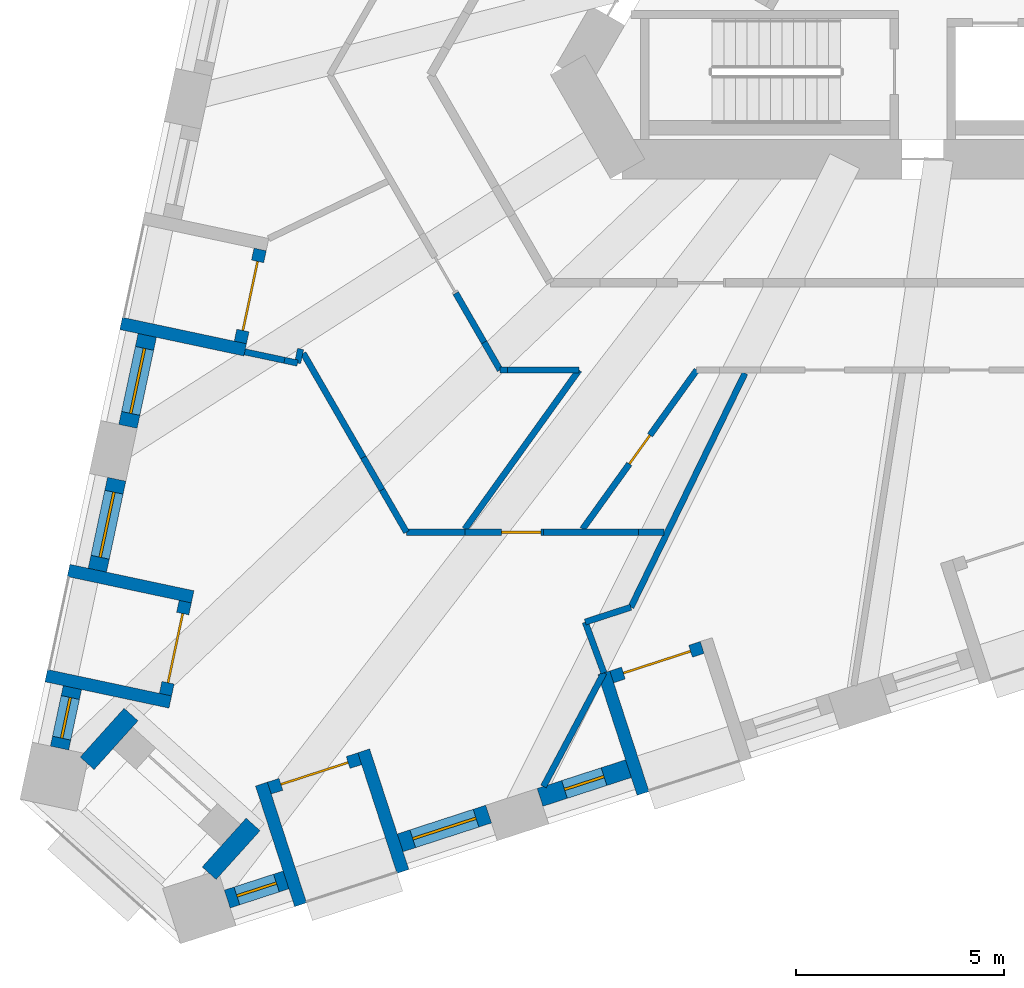
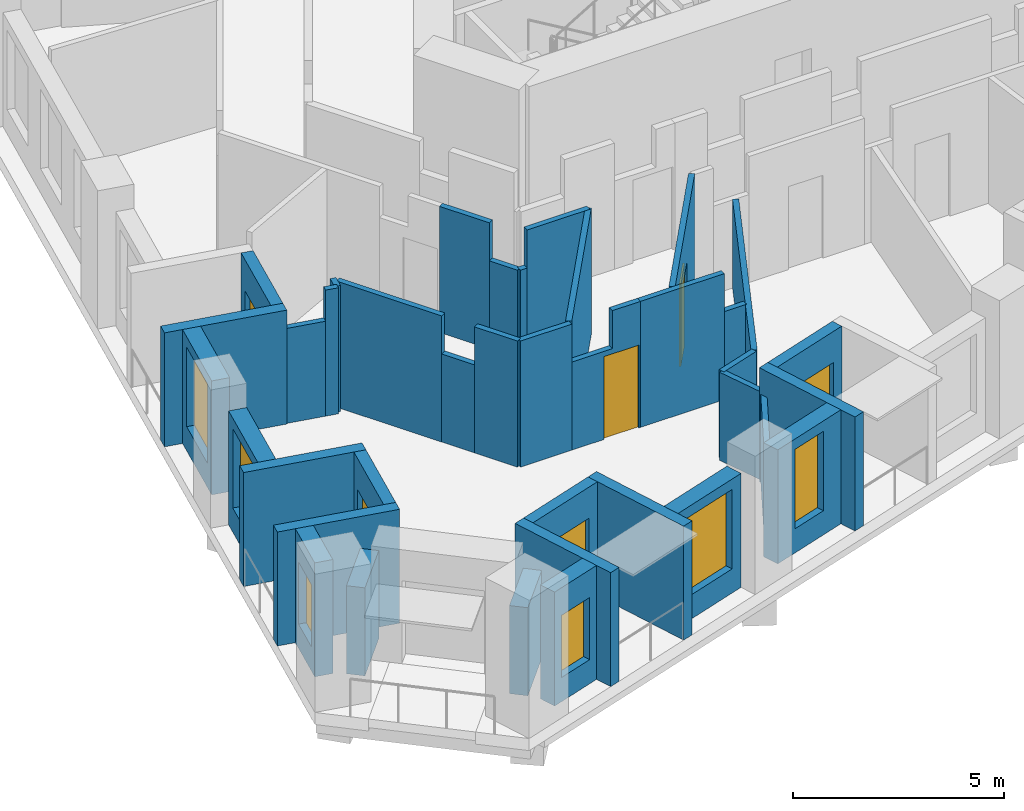
# One storey, part 2 of 13: 38 walls, 6 doors, 6 windows, 12 openings.
"""IFC4 building model written with IfcOpenShell, lengths in metres."""

from ifc_helpers import new_model, si_unit, direction, frame, frame_2d, origin, place, context, subcontext, project, spatial, polyline, rectangle, outline, extrude, material, layer, layer_set, type_object, element, fill, save


model = new_model("IFC4")

# Units and contexts
model_context = context("Model", 3, precision=1e-05, world=origin(), true_north=direction((0.0, 1.0)))
body_context = subcontext(model_context, "Body", "Model", "MODEL_VIEW")
ifc_project = project(units=[si_unit("LENGTHUNIT", "METRE"), si_unit("AREAUNIT", "SQUARE_METRE"), si_unit("VOLUMEUNIT", "CUBIC_METRE"), si_unit("PLANEANGLEUNIT", "RADIAN"), si_unit("MASSUNIT", "GRAM", prefix="KILO")], contexts=[model_context])

# Site, building, storey
site_placement = place(None, origin())
site = spatial("IfcSite", under=ifc_project, at=site_placement, CompositionType="ELEMENT")
building_placement = place(site_placement, origin())
building = spatial("IfcBuilding", under=site, at=building_placement, Name="Tramontana Tower", CompositionType="ELEMENT")
storey_placement = place(building_placement, frame((0.0, 0.0, 112.39990234375)))
storey = spatial("IfcBuildingStorey", under=building, at=storey_placement, Name="L25", CompositionType="ELEMENT", Elevation=112.39990234375)

# Wall, opening, window
ifc_material_1 = material(Name="Precast concrete 60 MPa", Category="concrete")
ifc_layer_1 = layer(ifc_material_1, 0.449951171875)
ifc_layer_set_1 = layer_set([ifc_layer_1], Name="Precast concrete 60 MPa, 450 mm")
wall_type_1 = type_object("IfcWallType", Name="EW1 Stone-faced precast wall 450", PredefinedType="SOLIDWALL", material=ifc_layer_set_1)
wall_1_placement = place(storey_placement, frame((-19.947265625, -10.516357421875, 0.0), z_axis=(0.0, 0.0, 1.0), x_axis=(-0.207941001029, -0.978141370197, 0.0)))
wall_1 = element("IfcWall", 1, at=wall_1_placement, inside=storey, type_object=wall_type_1, Name="External wall L25 face 0 bay 5", PredefinedType="SOLIDWALL", context=body_context, shape_type="SweptSolid", body=[
    extrude(rectangle(XDim=2.236572265625, YDim=0.449951171875, at=frame_2d((1.1181640625, 0.0))), origin(), (0.0, 0.0, 1.0), 3.300048828125),
])
opening_1_placement = place(wall_1_placement, frame((0.318359375, 0.0, 0.699951171875)))
opening_1 = element("IfcOpeningElement", 2, at=opening_1_placement, cuts=wall_1, Name="Opening M1", PredefinedType="OPENING", context=body_context, shape_type="SweptSolid", body=[
    extrude(rectangle(XDim=1.60009765625, YDim=2.300048828125, at=frame_2d((0.800048828125, 1.14990234375))), frame((0.0, 0.23486328125, 0.0), z_axis=(0.0, -1.0, 0.0), x_axis=(1.0, 0.0, 0.0)), (0.0, 0.0, 1.0), 0.469970703125),
])
ifc_material_2 = material(Name="Aluminum frame, double glazing unit", Category="aluminium")
window_type_1 = type_object("IfcWindowType", Name="M1 Window 1.6 x 2.3", PartitioningType="SINGLE_PANEL", PredefinedType="WINDOW", material=ifc_material_2)
window_1_placement = place(opening_1_placement, origin())
window_1 = element("IfcWindow", 3, at=window_1_placement, inside=storey, type_object=window_type_1, Name="Window M1 L25 face 0 module 15", OverallHeight=2.300048828125, OverallWidth=1.60009765625, PartitioningType="SINGLE_PANEL", PredefinedType="WINDOW", context=body_context, shape_type="SweptSolid", body=[
    extrude(rectangle(XDim=1.60009765625, YDim=2.300048828125, at=frame_2d((0.800048828125, 1.14990234375))), frame((0.0, 0.030029296875, 0.0), z_axis=(0.0, -1.0, 0.0), x_axis=(1.0, 0.0, 0.0)), (0.0, 0.0, 1.0), 0.06005859375),
])
fill(opening_1, window_1)

wall_2_placement = place(storey_placement, frame((-20.6826171875, -13.975830078125, 0.0), z_axis=(0.0, 0.0, 1.0), x_axis=(-0.207941001029, -0.978141370197, 0.0)))
wall_2 = element("IfcWall", 4, at=wall_2_placement, inside=storey, type_object=wall_type_1, Name="External wall L25 face 0 bay 6", PredefinedType="SOLIDWALL", context=body_context, shape_type="SweptSolid", body=[
    extrude(rectangle(XDim=2.236572265625, YDim=0.449951171875, at=frame_2d((1.1181640625, 0.0))), origin(), (0.0, 0.0, 1.0), 3.300048828125),
])
opening_2_placement = place(wall_2_placement, frame((0.318359375, 0.0, 0.699951171875)))
opening_2 = element("IfcOpeningElement", 5, at=opening_2_placement, cuts=wall_2, Name="Opening M1", PredefinedType="OPENING", context=body_context, shape_type="SweptSolid", body=[
    extrude(rectangle(XDim=1.60009765625, YDim=2.300048828125, at=frame_2d((0.800048828125, 1.14990234375))), frame((0.0, 0.23486328125, 0.0), z_axis=(0.0, -1.0, 0.0), x_axis=(1.0, 0.0, 0.0)), (0.0, 0.0, 1.0), 0.469970703125),
])
window_2_placement = place(opening_2_placement, origin())
window_2 = element("IfcWindow", 6, at=window_2_placement, inside=storey, type_object=window_type_1, Name="Window M1 L25 face 0 module 16", OverallHeight=2.300048828125, OverallWidth=1.60009765625, PartitioningType="SINGLE_PANEL", PredefinedType="WINDOW", context=body_context, shape_type="SweptSolid", body=[
    extrude(rectangle(XDim=1.60009765625, YDim=2.300048828125, at=frame_2d((0.800048828125, 1.14990234375))), frame((0.0, 0.030029296875, 0.0), z_axis=(0.0, -1.0, 0.0), x_axis=(1.0, 0.0, 0.0)), (0.0, 0.0, 1.0), 0.06005859375),
])
fill(opening_2, window_2)

wall_3_placement = place(storey_placement, frame((-21.747802734375, -18.9873046875, 0.0), z_axis=(0.0, 0.0, 1.0), x_axis=(-0.208037456693, -0.978120859921, 0.0)))
wall_3 = element("IfcWall", 7, at=wall_3_placement, inside=storey, type_object=wall_type_1, Name="External wall L25 face 0 bay 6", PredefinedType="SOLIDWALL", context=body_context, shape_type="SweptSolid", body=[
    extrude(rectangle(XDim=1.48681640625, YDim=0.449951171875, at=frame_2d((0.743408203125, 0.0))), origin(), (0.0, 0.0, 1.0), 3.300048828125),
])
opening_3_placement = place(wall_3_placement, frame((0.243408203125, 0.0, 0.699951171875)))
opening_3 = element("IfcOpeningElement", 8, at=opening_3_placement, cuts=wall_3, Name="Opening N1L", PredefinedType="OPENING", context=body_context, shape_type="SweptSolid", body=[
    extrude(rectangle(XDim=1.0, YDim=1.800048828125, at=frame_2d((0.5, 0.89990234375))), frame((0.0, 0.23486328125, 0.0), z_axis=(0.0, -1.0, 0.0), x_axis=(1.0, 0.0, 0.0)), (0.0, 0.0, 1.0), 0.469970703125),
])
ifc_material_3 = material(Name="Aluminum frame, double glazing unit", Category="aluminium")
window_type_2 = type_object("IfcWindowType", Name="N1L Window 1 x 1.8", PartitioningType="SINGLE_PANEL", PredefinedType="WINDOW", material=ifc_material_3)
window_3_placement = place(opening_3_placement, origin())
window_3 = element("IfcWindow", 9, at=window_3_placement, inside=storey, type_object=window_type_2, Name="Window N1L L25 face 0 module 18", OverallHeight=1.800048828125, OverallWidth=1.0, PartitioningType="SINGLE_PANEL", PredefinedType="WINDOW", context=body_context, shape_type="SweptSolid", body=[
    extrude(rectangle(XDim=1.0, YDim=1.800048828125, at=frame_2d((0.5, 0.89990234375))), frame((0.0, 0.030029296875, 0.0), z_axis=(0.0, -1.0, 0.0), x_axis=(1.0, 0.0, 0.0)), (0.0, 0.0, 1.0), 0.06005859375),
])
fill(opening_3, window_3)

wall_4_placement = place(storey_placement, frame((-18.02392578125, -24.072998046875, 0.0), z_axis=(0.0, 0.0, 1.0), x_axis=(0.951037689269, 0.309074931999, 0.0)))
wall_4 = element("IfcWall", 10, at=wall_4_placement, inside=storey, type_object=wall_type_1, Name="External wall L25 face 1 bay 1", PredefinedType="SOLIDWALL", context=body_context, shape_type="SweptSolid", body=[
    extrude(rectangle(XDim=1.486572265625, YDim=0.449951171875, at=frame_2d((0.7431640625, 0.0))), origin(), (0.0, 0.0, 1.0), 3.300048828125),
])
opening_4_placement = place(wall_4_placement, frame((0.243408203125, 0.0, 0.699951171875)))
opening_4 = element("IfcOpeningElement", 11, at=opening_4_placement, cuts=wall_4, Name="Opening N1L", PredefinedType="OPENING", context=body_context, shape_type="SweptSolid", body=[
    extrude(rectangle(XDim=1.0, YDim=1.800048828125, at=frame_2d((0.5, 0.89990234375))), frame((0.0, 0.23486328125, 0.0), z_axis=(0.0, -1.0, 0.0), x_axis=(1.0, 0.0, 0.0)), (0.0, 0.0, 1.0), 0.469970703125),
])
window_4_placement = place(opening_4_placement, origin())
window_4 = element("IfcWindow", 12, at=window_4_placement, inside=storey, type_object=window_type_2, Name="Window N1L L25 face 1 module 1", OverallHeight=1.800048828125, OverallWidth=1.0, PartitioningType="SINGLE_PANEL", PredefinedType="WINDOW", context=body_context, shape_type="SweptSolid", body=[
    extrude(rectangle(XDim=1.0, YDim=1.800048828125, at=frame_2d((0.5, 0.89990234375))), frame((0.0, 0.030029296875, 0.0), z_axis=(0.0, -1.0, 0.0), x_axis=(1.0, 0.0, 0.0)), (0.0, 0.0, 1.0), 0.06005859375),
])
fill(opening_4, window_4)

wall_5_placement = place(storey_placement, frame((-13.864501953125, -22.721435546875, 0.0), z_axis=(0.0, 0.0, 1.0), x_axis=(0.951057328329, 0.30901449518, 0.0)))
wall_5 = element("IfcWall", 13, at=wall_5_placement, inside=storey, type_object=wall_type_1, Name="External wall L25 face 1 bay 1", PredefinedType="SOLIDWALL", context=body_context, shape_type="SweptSolid", body=[
    extrude(rectangle(XDim=2.236572265625, YDim=0.449951171875, at=frame_2d((1.1181640625, 0.0))), origin(), (0.0, 0.0, 1.0), 3.300048828125),
])
opening_5_placement = place(wall_5_placement, frame((0.318359375, 0.0, 0.699951171875)))
opening_5 = element("IfcOpeningElement", 14, at=opening_5_placement, cuts=wall_5, Name="Opening M1", PredefinedType="OPENING", context=body_context, shape_type="SweptSolid", body=[
    extrude(rectangle(XDim=1.60009765625, YDim=2.300048828125, at=frame_2d((0.800048828125, 1.14990234375))), frame((0.0, 0.23486328125, 0.0), z_axis=(0.0, -1.0, 0.0), x_axis=(1.0, 0.0, 0.0)), (0.0, 0.0, 1.0), 0.469970703125),
])
window_5_placement = place(opening_5_placement, origin())
window_5 = element("IfcWindow", 15, at=window_5_placement, inside=storey, type_object=window_type_1, Name="Window M1 L25 face 1 module 3", OverallHeight=2.300048828125, OverallWidth=1.60009765625, PartitioningType="SINGLE_PANEL", PredefinedType="WINDOW", context=body_context, shape_type="SweptSolid", body=[
    extrude(rectangle(XDim=1.60009765625, YDim=2.300048828125, at=frame_2d((0.800048828125, 1.14990234375))), frame((0.0, 0.030029296875, 0.0), z_axis=(0.0, -1.0, 0.0), x_axis=(1.0, 0.0, 0.0)), (0.0, 0.0, 1.0), 0.06005859375),
])
fill(opening_5, window_5)

wall_6_placement = place(storey_placement, frame((-10.5009765625, -21.62841796875, 0.0), z_axis=(0.0, 0.0, 1.0), x_axis=(0.951067749801, 0.30898241906, 0.0)))
wall_6 = element("IfcWall", 16, at=wall_6_placement, inside=storey, type_object=wall_type_1, Name="External wall L25 face 1 bay 2", PredefinedType="SOLIDWALL", context=body_context, shape_type="SweptSolid", body=[
    extrude(rectangle(XDim=2.23681640625, YDim=0.449951171875, at=frame_2d((1.118408203125, 0.0))), origin(), (0.0, 0.0, 1.0), 3.300048828125),
])
opening_6_placement = place(wall_6_placement, frame((0.618408203125, 0.0, 0.699951171875)))
opening_6 = element("IfcOpeningElement", 17, at=opening_6_placement, cuts=wall_6, Name="Opening N1", PredefinedType="OPENING", context=body_context, shape_type="SweptSolid", body=[
    extrude(rectangle(XDim=1.0, YDim=2.300048828125, at=frame_2d((0.5, 1.14990234375))), frame((0.0, 0.23486328125, 0.0), z_axis=(0.0, -1.0, 0.0), x_axis=(1.0, 0.0, 0.0)), (0.0, 0.0, 1.0), 0.469970703125),
])
ifc_material_4 = material(Name="Aluminum frame, double glazing unit", Category="aluminium")
window_type_3 = type_object("IfcWindowType", Name="N1 Window 1 x 2.3", PartitioningType="SINGLE_PANEL", PredefinedType="WINDOW", material=ifc_material_4)
window_6_placement = place(opening_6_placement, origin())
window_6 = element("IfcWindow", 18, at=window_6_placement, inside=storey, type_object=window_type_3, Name="Window N1 L25 face 1 module 4", OverallHeight=2.300048828125, OverallWidth=1.0, PartitioningType="SINGLE_PANEL", PredefinedType="WINDOW", context=body_context, shape_type="SweptSolid", body=[
    extrude(rectangle(XDim=1.0, YDim=2.300048828125, at=frame_2d((0.5, 1.14990234375))), frame((0.0, 0.030029296875, 0.0), z_axis=(0.0, -1.0, 0.0), x_axis=(1.0, 0.0, 0.0)), (0.0, 0.0, 1.0), 0.06005859375),
])
fill(opening_6, window_6)

# Walls
for number, where, z_axis, x_axis, name in (
    (19, (-18.45849609375, -23.451904296875, 0.0), (0.0, 0.0, 1.0), (0.669109923521, 0.743163447867, 0.0), "Corner loggia side wall L25 K21l"),
    (20, (-21.393798828125, -20.808837890625, 0.0), (0.0, 0.0, 1.0), (0.669109923521, 0.743163447867, 0.0), "Corner loggia side wall L25 K21r"),
):
    element("IfcWall", number, at=place(storey_placement, frame(where, z_axis=z_axis, x_axis=x_axis)), inside=storey, type_object=wall_type_1, Name=name, PredefinedType="SOLIDWALL", context=body_context, shape_type="SweptSolid", body=[
        extrude(rectangle(XDim=1.5791015625, YDim=0.449951171875, at=frame_2d((0.78955078125, 0.0))), origin(), (0.0, 0.0, 1.0), 2.550048828125),
    ])

# Wall, opening, door
ifc_material_5 = material(Name="Precast concrete 60 MPa", Category="concrete")
ifc_layer_2 = layer(ifc_material_5, 0.300048828125)
ifc_layer_set_2 = layer_set([ifc_layer_2], Name="LW1 Stone-faced loggia wall 300")
wall_type_2 = type_object("IfcWallType", Name="LW1 Stone-faced loggia wall 300", PredefinedType="SOLIDWALL", material=ifc_layer_set_2)
wall_7_placement = place(storey_placement, frame((-17.233154296875, -8.44873046875, 0.0), z_axis=(0.0, 0.0, 1.0), x_axis=(-0.207866417042, -0.978157222877, 0.0)))
wall_7 = element("IfcWall", 21, at=wall_7_placement, inside=storey, type_object=wall_type_2, Name="Loggia wall L25 G2S0.13", PredefinedType="SOLIDWALL", context=body_context, shape_type="SweptSolid", body=[
    extrude(rectangle(XDim=2.286865234375, YDim=0.300048828125, at=frame_2d((1.1435546875, 0.0))), origin(), (0.0, 0.0, 1.0), 3.300048828125),
])
opening_7_placement = place(wall_7_placement, frame((0.29345703125, 0.0, 0.0)))
opening_7 = element("IfcOpeningElement", 22, at=opening_7_placement, cuts=wall_7, Name="Opening BD-2S0-13", PredefinedType="OPENING", context=body_context, shape_type="SweptSolid", body=[
    extrude(rectangle(XDim=1.699951171875, YDim=2.39990234375, at=frame_2d((0.85009765625, 1.199951171875))), frame((0.0, 0.159912109375, 0.0), z_axis=(0.0, -1.0, 0.0), x_axis=(1.0, 0.0, 0.0)), (0.0, 0.0, 1.0), 0.320068359375),
])
ifc_material_6 = material(Name="Aluminum frame, double glazing unit", Category="aluminium")
door_type_1 = type_object("IfcDoorType", Name="BD1 Sliding door 1.7 x 2.4", OperationType="SLIDING_TO_LEFT", PredefinedType="DOOR", material=ifc_material_6)
door_1_placement = place(opening_7_placement, origin())
door_1 = element("IfcDoor", 23, at=door_1_placement, inside=storey, type_object=door_type_1, Name="Loggia door L25 G2S0.13", OperationType="SLIDING_TO_LEFT", OverallHeight=2.39990234375, OverallWidth=1.699951171875, PredefinedType="DOOR", context=body_context, shape_type="SweptSolid", body=[
    extrude(rectangle(XDim=1.699951171875, YDim=2.39990234375, at=frame_2d((0.85009765625, 1.199951171875))), frame((0.0, 0.02490234375, 0.0), z_axis=(0.0, -1.0, 0.0), x_axis=(1.0, 0.0, 0.0)), (0.0, 0.0, 1.0), 0.050048828125),
])
fill(opening_7, door_1)

# Wall
wall_8_placement = place(storey_placement, frame((-20.576416015625, -10.229248046875, 0.0), z_axis=(0.0, 0.0, 1.0), x_axis=(0.978154782045, -0.207877902534, 0.0)))
element("IfcWall", 24, at=wall_8_placement, inside=storey, type_object=wall_type_2, Name="Loggia return L25 G2S0.13b", PredefinedType="SOLIDWALL", context=body_context, shape_type="SweptSolid", body=[
    extrude(rectangle(XDim=3.050048828125, YDim=0.300048828125, at=frame_2d((1.52490234375, 0.0))), origin(), (0.0, 0.0, 1.0), 3.300048828125),
])

# Wall, opening, door
wall_9_placement = place(storey_placement, frame((-19.03369140625, -16.919677734375, 0.0), z_axis=(0.0, 0.0, 1.0), x_axis=(-0.207968563016, -0.978135510447, 0.0)))
wall_9 = element("IfcWall", 25, at=wall_9_placement, inside=storey, type_object=wall_type_2, Name="Loggia wall L25 G2S0.16", PredefinedType="SOLIDWALL", context=body_context, shape_type="SweptSolid", body=[
    extrude(rectangle(XDim=2.286865234375, YDim=0.300048828125, at=frame_2d((1.1435546875, 0.0))), origin(), (0.0, 0.0, 1.0), 3.300048828125),
])
opening_8_placement = place(wall_9_placement, frame((0.29345703125, 0.0, 0.0)))
opening_8 = element("IfcOpeningElement", 26, at=opening_8_placement, cuts=wall_9, Name="Opening BD-2S0-16", PredefinedType="OPENING", context=body_context, shape_type="SweptSolid", body=[
    extrude(rectangle(XDim=1.699951171875, YDim=2.39990234375, at=frame_2d((0.85009765625, 1.199951171875))), frame((0.0, 0.159912109375, 0.0), z_axis=(0.0, -1.0, 0.0), x_axis=(1.0, 0.0, 0.0)), (0.0, 0.0, 1.0), 0.320068359375),
])
door_2_placement = place(opening_8_placement, origin())
door_2 = element("IfcDoor", 27, at=door_2_placement, inside=storey, type_object=door_type_1, Name="Loggia door L25 G2S0.16", OperationType="SLIDING_TO_LEFT", OverallHeight=2.39990234375, OverallWidth=1.699951171875, PredefinedType="DOOR", context=body_context, shape_type="SweptSolid", body=[
    extrude(rectangle(XDim=1.699951171875, YDim=2.39990234375, at=frame_2d((0.85009765625, 1.199951171875))), frame((0.0, 0.02490234375, 0.0), z_axis=(0.0, -1.0, 0.0), x_axis=(1.0, 0.0, 0.0)), (0.0, 0.0, 1.0), 0.050048828125),
])
fill(opening_8, door_2)

# Walls
for number, where, z_axis, x_axis, name in (
    (28, (-21.839111328125, -16.169921875, 0.0), (0.0, 0.0, 1.0), (0.978138503145, -0.207954487003, 0.0), "Loggia return L25 G2S0.16a"),
    (29, (-22.376953125, -18.7001953125, 0.0), (0.0, 0.0, 1.0), (0.978154782045, -0.207877902534, 0.0), "Loggia return L25 G2S0.16b"),
):
    element("IfcWall", number, at=place(storey_placement, frame(where, z_axis=z_axis, x_axis=x_axis)), inside=storey, type_object=wall_type_2, Name=name, PredefinedType="SOLIDWALL", context=body_context, shape_type="SweptSolid", body=[
        extrude(rectangle(XDim=3.050048828125, YDim=0.300048828125, at=frame_2d((1.52490234375, 0.0))), origin(), (0.0, 0.0, 1.0), 3.300048828125),
    ])

# Wall, opening, door
wall_10_placement = place(storey_placement, frame((-17.01220703125, -21.40478515625, 0.0), z_axis=(0.0, 0.0, 1.0), x_axis=(0.95103720697, 0.309076416051, 0.0)))
wall_10 = element("IfcWall", 30, at=wall_10_placement, inside=storey, type_object=wall_type_2, Name="Loggia wall L25 G2S1.1", PredefinedType="SOLIDWALL", context=body_context, shape_type="SweptSolid", body=[
    extrude(rectangle(XDim=2.286865234375, YDim=0.300048828125, at=frame_2d((1.1435546875, 0.0))), origin(), (0.0, 0.0, 1.0), 3.300048828125),
])
opening_9_placement = place(wall_10_placement, frame((0.29345703125, 0.0, 0.0)))
opening_9 = element("IfcOpeningElement", 31, at=opening_9_placement, cuts=wall_10, Name="Opening BD-2S1-01", PredefinedType="OPENING", context=body_context, shape_type="SweptSolid", body=[
    extrude(rectangle(XDim=1.699951171875, YDim=2.39990234375, at=frame_2d((0.85009765625, 1.199951171875))), frame((0.0, 0.159912109375, 0.0), z_axis=(0.0, -1.0, 0.0), x_axis=(1.0, 0.0, 0.0)), (0.0, 0.0, 1.0), 0.320068359375),
])
door_3_placement = place(opening_9_placement, origin())
door_3 = element("IfcDoor", 32, at=door_3_placement, inside=storey, type_object=door_type_1, Name="Loggia door L25 G2S1.1", OperationType="SLIDING_TO_LEFT", OverallHeight=2.39990234375, OverallWidth=1.699951171875, PredefinedType="DOOR", context=body_context, shape_type="SweptSolid", body=[
    extrude(rectangle(XDim=1.699951171875, YDim=2.39990234375, at=frame_2d((0.85009765625, 1.199951171875))), frame((0.0, 0.02490234375, 0.0), z_axis=(0.0, -1.0, 0.0), x_axis=(1.0, 0.0, 0.0)), (0.0, 0.0, 1.0), 0.050048828125),
])
fill(opening_9, door_3)

# Walls
for number, where, z_axis, x_axis, name in (
    (33, (-16.2587890625, -24.209228515625, 0.0), (0.0, 0.0, 1.0), (-0.308966615996, 0.951072883748, 0.0), "Loggia return L25 G2S1.1a"),
    (34, (-13.798583984375, -23.40966796875, 0.0), (0.0, 0.0, 1.0), (-0.309062542235, 0.951041715693, 0.0), "Loggia return L25 G2S1.1b"),
):
    element("IfcWall", number, at=place(storey_placement, frame(where, z_axis=z_axis, x_axis=x_axis)), inside=storey, type_object=wall_type_2, Name=name, PredefinedType="SOLIDWALL", context=body_context, shape_type="SweptSolid", body=[
        extrude(rectangle(XDim=3.050048828125, YDim=0.300048828125, at=frame_2d((1.52490234375, 0.0))), origin(), (0.0, 0.0, 1.0), 3.300048828125),
    ])

# Wall, opening, door
wall_11_placement = place(storey_placement, frame((-8.77587890625, -18.728515625, 0.0), z_axis=(0.0, 0.0, 1.0), x_axis=(0.951068585107, 0.308979847923, 0.0)))
wall_11 = element("IfcWall", 35, at=wall_11_placement, inside=storey, type_object=wall_type_2, Name="Loggia wall L25 G2S1.4", PredefinedType="SOLIDWALL", context=body_context, shape_type="SweptSolid", body=[
    extrude(rectangle(XDim=2.28662109375, YDim=0.300048828125, at=frame_2d((1.143310546875, 0.0))), origin(), (0.0, 0.0, 1.0), 3.300048828125),
])
opening_10_placement = place(wall_11_placement, frame((0.29345703125, 0.0, 0.0)))
opening_10 = element("IfcOpeningElement", 36, at=opening_10_placement, cuts=wall_11, Name="Opening BD-2S1-04", PredefinedType="OPENING", context=body_context, shape_type="SweptSolid", body=[
    extrude(rectangle(XDim=1.699951171875, YDim=2.39990234375, at=frame_2d((0.85009765625, 1.199951171875))), frame((0.0, 0.159912109375, 0.0), z_axis=(0.0, -1.0, 0.0), x_axis=(1.0, 0.0, 0.0)), (0.0, 0.0, 1.0), 0.320068359375),
])
door_4_placement = place(opening_10_placement, origin())
door_4 = element("IfcDoor", 37, at=door_4_placement, inside=storey, type_object=door_type_1, Name="Loggia door L25 G2S1.4", OperationType="SLIDING_TO_LEFT", OverallHeight=2.39990234375, OverallWidth=1.699951171875, PredefinedType="DOOR", context=body_context, shape_type="SweptSolid", body=[
    extrude(rectangle(XDim=1.699951171875, YDim=2.39990234375, at=frame_2d((0.85009765625, 1.199951171875))), frame((0.0, 0.02490234375, 0.0), z_axis=(0.0, -1.0, 0.0), x_axis=(1.0, 0.0, 0.0)), (0.0, 0.0, 1.0), 0.050048828125),
])
fill(opening_10, door_4)

# Walls
wall_12_placement = place(storey_placement, frame((-8.0224609375, -21.532958984375, 0.0), z_axis=(0.0, 0.0, 1.0), x_axis=(-0.308990138358, 0.951065241925, 0.0)))
element("IfcWall", 38, at=wall_12_placement, inside=storey, type_object=wall_type_2, Name="Loggia return L25 G2S1.4a", PredefinedType="SOLIDWALL", context=body_context, shape_type="SweptSolid", body=[
    extrude(rectangle(XDim=3.0498046875, YDim=0.300048828125, at=frame_2d((1.52490234375, 0.0))), origin(), (0.0, 0.0, 1.0), 3.300048828125),
])
ifc_material_7 = material(Name="Gypsum board partition")
ifc_layer_3 = layer(ifc_material_7, 0.14990234375)
ifc_layer_set_3 = layer_set([ifc_layer_3], Name="PARTITION 150")
wall_type_3 = type_object("IfcWallType", Name="PARTITION 150", PredefinedType="PARTITIONING", material=ifc_layer_set_3)
wall_13_placement = place(storey_placement, frame((-16.33203125, -11.1826171875, 0.0), z_axis=(0.0, 0.0, 1.0), x_axis=(-0.978023765632, 0.20849343841, 0.0)))
element("IfcWall", 39, at=wall_13_placement, inside=storey, type_object=wall_type_3, Name="Wall v22-pw02-0", PredefinedType="PARTITIONING", context=body_context, shape_type="SweptSolid", body=[
    extrude(rectangle(XDim=0.322021484375, YDim=0.14990234375, at=frame_2d((0.1611328125, 0.0))), origin(), (0.0, 0.0, 1.0), 3.650146484375),
])
wall_14_placement = place(storey_placement, frame((-16.64697265625, -11.115478515625, 0.0), z_axis=(0.0, 0.0, 1.0), x_axis=(-0.978188029216, 0.207721398751, 0.0)))
element("IfcWall", 40, at=wall_14_placement, inside=storey, type_object=wall_type_3, Name="Wall v22-pw02-1", PredefinedType="PARTITIONING", context=body_context, shape_type="SweptSolid", body=[
    extrude(rectangle(XDim=0.977783203125, YDim=0.14990234375, at=frame_2d((0.48876953125, 0.0))), origin(), (0.0, 0.0, 1.0), 2.75),
])
wall_15_placement = place(storey_placement, frame((-16.260009765625, -10.843994140625, 0.0), z_axis=(0.0, 0.0, 1.0), x_axis=(-0.207504208355, -0.978234125102, 0.0)))
element("IfcWall", 41, at=wall_15_placement, inside=storey, type_object=wall_type_3, Name="Wall v22-pw03", PredefinedType="PARTITIONING", context=body_context, shape_type="SweptSolid", body=[
    extrude(rectangle(XDim=0.345947265625, YDim=0.14990234375, at=frame_2d((0.1728515625, 0.0))), origin(), (0.0, 0.0, 1.0), 3.650146484375),
])
wall_16_placement = place(storey_placement, frame((-13.712158203125, -15.25, 0.0), z_axis=(0.0, 0.0, 1.0), x_axis=(-0.499907924584, 0.866078557025, 0.0)))
element("IfcWall", 42, at=wall_16_placement, inside=storey, type_object=wall_type_3, Name="Wall v22-pw06-0", PredefinedType="PARTITIONING", context=body_context, shape_type="SweptSolid", body=[
    extrude(rectangle(XDim=1.177490234375, YDim=0.14990234375, at=frame_2d((0.5888671875, 0.0))), origin(), (0.0, 0.0, 1.0), 3.650146484375),
])
wall_17_placement = place(storey_placement, frame((-14.30078125, -14.230224609375, 0.0), z_axis=(0.0, 0.0, 1.0), x_axis=(-0.499988457423, 0.866032067792, 0.0)))
element("IfcWall", 43, at=wall_17_placement, inside=storey, type_object=wall_type_3, Name="Wall v22-pw06-1", PredefinedType="PARTITIONING", context=body_context, shape_type="SweptSolid", body=[
    extrude(rectangle(XDim=0.900390625, YDim=0.14990234375, at=frame_2d((0.4501953125, 0.0))), origin(), (0.0, 0.0, 1.0), 2.550048828125),
])
wall_18_placement = place(storey_placement, frame((-14.7509765625, -13.450439453125, 0.0), z_axis=(0.0, 0.0, 1.0), x_axis=(-0.500027093073, 0.866009761026, 0.0)))
element("IfcWall", 44, at=wall_18_placement, inside=storey, type_object=wall_type_3, Name="Wall v22-pw06-2", PredefinedType="PARTITIONING", context=body_context, shape_type="SweptSolid", body=[
    extrude(rectangle(XDim=2.890380859375, YDim=0.14990234375, at=frame_2d((1.4453125, 0.0))), origin(), (0.0, 0.0, 1.0), 3.650146484375),
])
wall_19_placement = place(storey_placement, frame((-12.30908203125, -15.175048828125, 0.0), z_axis=(0.0, 0.0, 1.0), x_axis=(0.583169058274, 0.812350816749, 0.0)))
element("IfcWall", 45, at=wall_19_placement, inside=storey, type_object=wall_type_3, Name="Wall v22-pw07", PredefinedType="PARTITIONING", context=body_context, shape_type="SweptSolid", body=[
    extrude(rectangle(XDim=4.70849609375, YDim=0.14990234375, at=frame_2d((2.354248046875, 0.0))), origin(), (0.0, 0.0, 1.0), 3.650146484375),
])
wall_20_placement = place(storey_placement, frame((-11.46044921875, -11.35009765625, 0.0), z_axis=(0.0, 0.0, 1.0), x_axis=(-0.49974986996, 0.866169768276, 0.0)))
element("IfcWall", 46, at=wall_20_placement, inside=storey, type_object=wall_type_3, Name="Wall v22-pw09-0", PredefinedType="PARTITIONING", context=body_context, shape_type="SweptSolid", body=[
    extrude(rectangle(XDim=0.77099609375, YDim=0.14990234375, at=frame_2d((0.385498046875, 0.0))), origin(), (0.0, 0.0, 1.0), 2.550048828125),
])
wall_21_placement = place(storey_placement, frame((-11.845703125, -10.682373046875, 0.0), z_axis=(0.0, 0.0, 1.0), x_axis=(-0.500027119254, 0.86600974591, 0.0)))
element("IfcWall", 47, at=wall_21_placement, inside=storey, type_object=wall_type_3, Name="Wall v22-pw09-1", PredefinedType="PARTITIONING", context=body_context, shape_type="SweptSolid", body=[
    extrude(rectangle(XDim=1.3642578125, YDim=0.14990234375, at=frame_2d((0.68212890625, 0.0))), origin(), (0.0, 0.0, 1.0), 3.650146484375),
])
wall_22_placement = place(storey_placement, frame((-9.563232421875, -11.35009765625, 0.0), z_axis=(0.0, 0.0, 1.0), x_axis=(-1.0, 0.0, 0.0)))
element("IfcWall", 48, at=wall_22_placement, inside=storey, type_object=wall_type_3, Name="Wall v22-pw12-0", PredefinedType="PARTITIONING", context=body_context, shape_type="SweptSolid", body=[
    extrude(rectangle(XDim=1.71484375, YDim=0.14990234375, at=frame_2d((0.857421875, 0.0))), origin(), (0.0, 0.0, 1.0), 3.650146484375),
])
wall_23_placement = place(storey_placement, frame((-11.278076171875, -11.35009765625, 0.0), z_axis=(0.0, 0.0, 1.0), x_axis=(-1.0, 0.0, 0.0)))
element("IfcWall", 49, at=wall_23_placement, inside=storey, type_object=wall_type_3, Name="Wall v22-pw12-1", PredefinedType="PARTITIONING", context=body_context, shape_type="SweptSolid", body=[
    extrude(rectangle(XDim=0.182373046875, YDim=0.14990234375, at=frame_2d((0.09130859375, 0.0))), origin(), (0.0, 0.0, 1.0), 2.550048828125),
])
wall_24_placement = place(storey_placement, frame((-9.413818359375, -17.4130859375, 0.0), z_axis=(0.0, 0.0, 1.0), x_axis=(0.345557322038, -0.938397643425, 0.0)))
element("IfcWall", 50, at=wall_24_placement, inside=storey, type_object=wall_type_3, Name="Wall v22-pw14-0", PredefinedType="PARTITIONING", context=body_context, shape_type="SweptSolid", body=[
    extrude(rectangle(XDim=1.29931640625, YDim=0.14990234375, at=frame_2d((0.649658203125, 0.0))), origin(), (0.0, 0.0, 1.0), 2.550048828125),
])
wall_25_placement = place(storey_placement, frame((-8.96484375, -18.63232421875, 0.0), z_axis=(0.0, 0.0, 1.0), x_axis=(-0.469355189183, -0.883009459965, 0.0)))
element("IfcWall", 51, at=wall_25_placement, inside=storey, type_object=wall_type_3, Name="Wall v22-pw15-0", PredefinedType="PARTITIONING", context=body_context, shape_type="SweptSolid", body=[
    extrude(rectangle(XDim=3.094482421875, YDim=0.14990234375, at=frame_2d((1.54736328125, 0.0))), origin(), (0.0, 0.0, 1.0), 2.550048828125),
])
wall_26_placement = place(storey_placement, frame((-8.3154296875, -17.05419921875, 0.0), z_axis=(0.0, 0.0, 1.0), x_axis=(-0.951068277926, -0.308980793452, 0.0)))
element("IfcWall", 52, at=wall_26_placement, inside=storey, type_object=wall_type_3, Name="Wall v22-pw16-0", PredefinedType="PARTITIONING", context=body_context, shape_type="SweptSolid", body=[
    extrude(rectangle(XDim=1.153564453125, YDim=0.14990234375, at=frame_2d((0.57666015625, 0.0))), origin(), (0.0, 0.0, 1.0), 2.550048828125),
])
wall_27_placement = place(storey_placement, frame((-7.519287109375, -15.25, 0.0), z_axis=(0.0, 0.0, 1.0), x_axis=(-1.0, 0.0, 0.0)))
element("IfcWall", 53, at=wall_27_placement, inside=storey, type_object=wall_type_3, Name="Wall v22-pw17-0", PredefinedType="PARTITIONING", context=body_context, shape_type="SweptSolid", body=[
    extrude(rectangle(XDim=0.6142578125, YDim=0.14990234375, at=frame_2d((0.30712890625, 0.0))), origin(), (0.0, 0.0, 1.0), 2.550048828125),
])
wall_28_placement = place(storey_placement, frame((-8.133544921875, -15.25, 0.0), z_axis=(0.0, 0.0, 1.0), x_axis=(-1.0, 0.0, 0.0)))
element("IfcWall", 54, at=wall_28_placement, inside=storey, type_object=wall_type_3, Name="Wall v22-pw17-1", PredefinedType="PARTITIONING", context=body_context, shape_type="SweptSolid", body=[
    extrude(rectangle(XDim=2.288818359375, YDim=0.14990234375, at=frame_2d((1.14453125, 0.0))), origin(), (0.0, 0.0, 1.0), 3.650146484375),
])

# Wall, opening, door
wall_29_placement = place(storey_placement, frame((-10.42236328125, -15.25, 0.0), z_axis=(0.0, 0.0, 1.0), x_axis=(-1.0, 0.0, 0.0)))
wall_29 = element("IfcWall", 55, at=wall_29_placement, inside=storey, type_object=wall_type_3, Name="Wall v22-pw17-2", PredefinedType="PARTITIONING", context=body_context, shape_type="SweptSolid", body=[
    extrude(outline(polyline([(0.0, 0.0), (1.880615234375, 0.0), (1.880859375, 2.550048828125), (0.776123046875, 2.550048828125), (0.776123046875, 3.650146484375), (0.0, 3.650146484375), (0.0, 0.0)])), frame((0.0, 0.074951171875, 0.0), z_axis=(0.0, -1.0, 0.0), x_axis=(1.0, 0.0, 0.0)), (0.0, 0.0, 1.0), 0.14990234375),
])
opening_11_placement = place(wall_29_placement, frame((0.050048828125, 0.0, 0.0)))
opening_11 = element("IfcOpeningElement", 56, at=opening_11_placement, cuts=wall_29, Name="Opening B2C-08", PredefinedType="OPENING", context=body_context, shape_type="SweptSolid", body=[
    extrude(rectangle(XDim=0.949951171875, YDim=2.39990234375, at=frame_2d((0.47509765625, 1.199951171875))), frame((0.0, 0.0849609375, 0.0), z_axis=(0.0, -1.0, 0.0), x_axis=(1.0, 0.0, 0.0)), (0.0, 0.0, 1.0), 0.169921875),
])
ifc_material_8 = material(Name="Painted timber", Category="wood")
door_type_2 = type_object("IfcDoorType", Name="DOOR ROOM 950", OperationType="SINGLE_SWING_LEFT", PredefinedType="DOOR", material=ifc_material_8)
door_5_placement = place(opening_11_placement, origin())
door_5 = element("IfcDoor", 57, at=door_5_placement, inside=storey, type_object=door_type_2, Name="Door B2C-08", OperationType="SINGLE_SWING_RIGHT", OverallHeight=2.39990234375, OverallWidth=0.949951171875, PredefinedType="DOOR", context=body_context, shape_type="SweptSolid", body=[
    extrude(rectangle(XDim=0.949951171875, YDim=2.39990234375, at=frame_2d((0.47509765625, 1.199951171875))), frame((0.0, 0.02490234375, 0.0), z_axis=(0.0, -1.0, 0.0), x_axis=(1.0, 0.0, 0.0)), (0.0, 0.0, 1.0), 0.050048828125),
])
fill(opening_11, door_5)

# Wall
wall_30_placement = place(storey_placement, frame((-12.302978515625, -15.25, 0.0), z_axis=(0.0, 0.0, 1.0), x_axis=(-1.0, 0.0, 0.0)))
element("IfcWall", 58, at=wall_30_placement, inside=storey, type_object=wall_type_3, Name="Wall v22-pw17-3", PredefinedType="PARTITIONING", context=body_context, shape_type="SweptSolid", body=[
    extrude(rectangle(XDim=1.408935546875, YDim=0.14990234375, at=frame_2d((0.70458984375, 0.0))), origin(), (0.0, 0.0, 1.0), 3.650146484375),
])

# Wall, opening, door
wall_31_placement = place(storey_placement, frame((-6.73193359375, -11.35009765625, 0.0), z_axis=(0.0, 0.0, 1.0), x_axis=(-0.583169058274, -0.812350816749, 0.0)))
wall_31 = element("IfcWall", 59, at=wall_31_placement, inside=storey, type_object=wall_type_3, Name="Wall v22-pw20", PredefinedType="PARTITIONING", context=body_context, shape_type="SweptSolid", body=[
    extrude(rectangle(XDim=4.70849609375, YDim=0.14990234375, at=frame_2d((2.354248046875, 0.0))), origin(), (0.0, 0.0, 1.0), 3.650146484375),
])
opening_12_placement = place(wall_31_placement, frame((1.92919921875, 0.0, 0.0)))
opening_12 = element("IfcOpeningElement", 60, at=opening_12_placement, cuts=wall_31, Name="Opening B2C-07", PredefinedType="OPENING", context=body_context, shape_type="SweptSolid", body=[
    extrude(rectangle(XDim=0.85009765625, YDim=2.39990234375, at=frame_2d((0.425048828125, 1.199951171875))), frame((0.0, 0.0849609375, 0.0), z_axis=(0.0, -1.0, 0.0), x_axis=(1.0, 0.0, 0.0)), (0.0, 0.0, 1.0), 0.169921875),
])
ifc_material_9 = material(Name="Painted timber", Category="wood")
door_type_3 = type_object("IfcDoorType", Name="DOOR BATH 850", OperationType="SINGLE_SWING_LEFT", PredefinedType="DOOR", material=ifc_material_9)
door_6_placement = place(opening_12_placement, origin())
door_6 = element("IfcDoor", 61, at=door_6_placement, inside=storey, type_object=door_type_3, Name="Door B2C-07", OperationType="SINGLE_SWING_LEFT", OverallHeight=2.39990234375, OverallWidth=0.85009765625, PredefinedType="DOOR", context=body_context, shape_type="SweptSolid", body=[
    extrude(rectangle(XDim=0.85009765625, YDim=2.39990234375, at=frame_2d((0.425048828125, 1.199951171875))), frame((0.0, 0.02490234375, 0.0), z_axis=(0.0, -1.0, 0.0), x_axis=(1.0, 0.0, 0.0)), (0.0, 0.0, 1.0), 0.050048828125),
])
fill(opening_12, door_6)

# Wall
wall_32_placement = place(storey_placement, frame((-5.57080078125, -11.425048828125, 0.0), z_axis=(0.0, 0.0, 1.0), x_axis=(-0.438271544149, -0.898842618921, 0.0)))
element("IfcWall", 62, at=wall_32_placement, inside=storey, type_object=wall_type_3, Name="Wall v22-pw23-0", PredefinedType="PARTITIONING", context=body_context, shape_type="SweptSolid", body=[
    extrude(rectangle(XDim=6.262451171875, YDim=0.14990234375, at=frame_2d((3.13134765625, 0.0))), origin(), (0.0, 0.0, 1.0), 2.550048828125),
])

save(model, "model.ifc")
